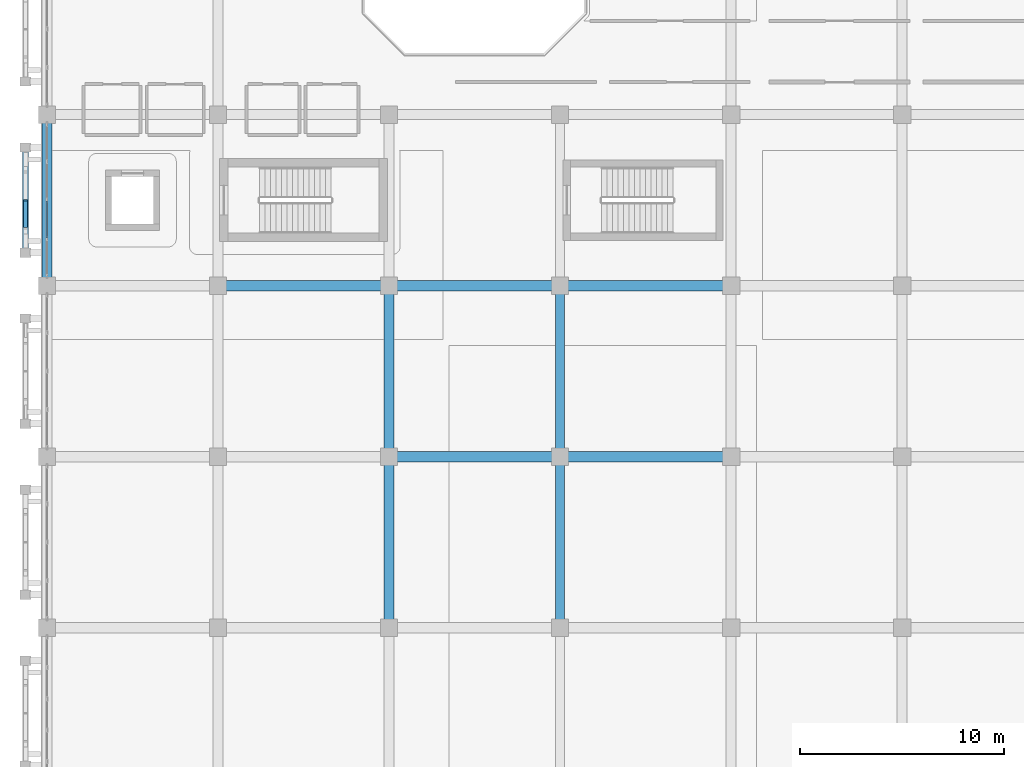
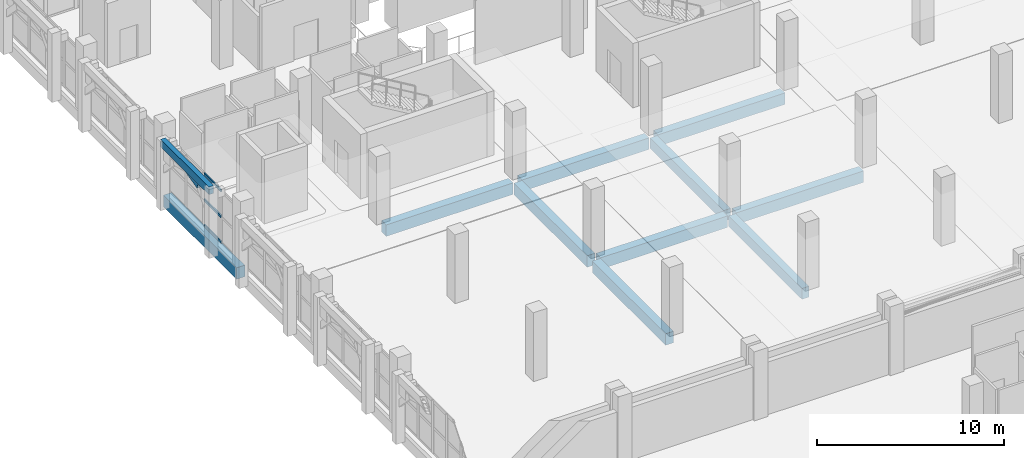
# One storey, part 49 of 137: 11 beams, 4 members, 1 element without a shape of its own.
"""IFC4 building model written with IfcOpenShell, lengths in metres."""

from ifc_helpers import new_model, si_unit, direction, frame, origin, origin_2d, place, context, subcontext, project, spatial, rectangle, hollow_rectangle, extrude, material, layer, layer_set, material_profile, profile_set, type_object, element, aggregate, save


model = new_model("IFC4")

# Units and contexts
model_context = context("Model", 3, precision=1e-05, world=origin(), true_north=direction((0.0, 1.0)))
body_context = subcontext(model_context, "Body", "Model", "MODEL_VIEW")
ifc_project = project(units=[si_unit("LENGTHUNIT", "METRE"), si_unit("AREAUNIT", "SQUARE_METRE"), si_unit("VOLUMEUNIT", "CUBIC_METRE"), si_unit("PLANEANGLEUNIT", "RADIAN"), si_unit("MASSUNIT", "GRAM", prefix="KILO")], contexts=[model_context])

# Site, building, storey
site_placement = place(None, origin())
site = spatial("IfcSite", under=ifc_project, at=site_placement, CompositionType="ELEMENT")
building_placement = place(site_placement, origin())
building = spatial("IfcBuilding", under=site, at=building_placement, Name="Xazarin Passage Department Store", CompositionType="ELEMENT")
storey_placement = place(building_placement, frame((0.0, 0.0, 5.39990234375)))
storey = spatial("IfcBuildingStorey", under=building, at=storey_placement, Name="L01", CompositionType="ELEMENT", Elevation=5.39990234375)

# Curtain wall, members
ifc_material_1 = material(Name="Bronze anodised aluminium", Category="aluminium")
ifc_layer = layer(ifc_material_1, 0.179931640625)
ifc_layer_set = layer_set([ifc_layer], Name="Bronze anodised aluminium")
curtain_wall_type = type_object("IfcCurtainWallType", Name="ARC-CW-VIT1", PredefinedType="NOTDEFINED", material=ifc_layer_set)
curtain_wall_placement = place(storey_placement, origin())
curtain_wall = element("IfcCurtainWall", 1, at=curtain_wall_placement, inside=storey, type_object=curtain_wall_type, Name="L01 V1 Curtain Wall 021", PredefinedType="NOTDEFINED")
ifc_material_profile_1 = material_profile(ifc_material_1, hollow_rectangle(XDim=0.074951171875, YDim=0.159912109375, WallThickness=0.00439453125, at=origin_2d()), Name="ALU 75x160")
ifc_profile_set_1 = profile_set([ifc_material_profile_1], Name="Bronze anodised aluminium")
member_type_1 = type_object("IfcMemberType", Name="ARC-CWT-75x160", PredefinedType="USERDEFINED", material=ifc_profile_set_1)
member_1_placement = place(storey_placement, frame((0.0, 78.75, 0.03759765625), z_axis=(0.0, 1.0, 0.0), x_axis=(-1.0, 0.0, 0.0)))
member_1 = element("IfcMember", 2, at=member_1_placement, type_object=member_type_1, Name="CW1 transom 2.1", ObjectType="TRANSOM", PredefinedType="USERDEFINED", context=body_context, shape_type="SweptSolid", body=[
    extrude(hollow_rectangle(XDim=0.074951171875, YDim=0.159912109375, WallThickness=0.00439453125, at=origin_2d()), origin(), (0.0, 0.0, 1.0), 1.8125),
])
member_2_placement = place(storey_placement, frame((0.0, 78.75, 1.72509765625), z_axis=(0.0, 1.0, 0.0), x_axis=(-1.0, 0.0, 0.0)))
member_2 = element("IfcMember", 3, at=member_2_placement, type_object=member_type_1, Name="CW1 transom 2.2", ObjectType="TRANSOM", PredefinedType="USERDEFINED", context=body_context, shape_type="SweptSolid", body=[
    extrude(hollow_rectangle(XDim=0.074951171875, YDim=0.159912109375, WallThickness=0.00439453125, at=origin_2d()), origin(), (0.0, 0.0, 1.0), 1.8125),
])
member_3_placement = place(storey_placement, frame((0.0, 78.75, 3.41259765625), z_axis=(0.0, 1.0, 0.0), x_axis=(-1.0, 0.0, 0.0)))
member_3 = element("IfcMember", 4, at=member_3_placement, type_object=member_type_1, Name="CW1 transom 2.3", ObjectType="TRANSOM", PredefinedType="USERDEFINED", context=body_context, shape_type="SweptSolid", body=[
    extrude(hollow_rectangle(XDim=0.074951171875, YDim=0.159912109375, WallThickness=0.00439453125, at=origin_2d()), origin(), (0.0, 0.0, 1.0), 1.8125),
])
aggregate(curtain_wall, [member_1, member_2, member_3])

# Beams
ifc_material_2 = material(Name="Concrete C35/45", Category="concrete")
ifc_material_profile_2 = material_profile(ifc_material_2, rectangle(XDim=0.449951171875, YDim=0.699951171875, at=origin_2d()), Name="RC 450x700")
ifc_profile_set_2 = profile_set([ifc_material_profile_2], Name="Concrete C35/45")
beam_type_1 = type_object("IfcBeamType", Name="STR-BM-G450x700", PredefinedType="BEAM", material=ifc_profile_set_2)
for number, where, z_axis, x_axis, name in (
    (5, (25.199951171875, 59.8798828125, -0.64990234375), (0.0, 1.0, 0.0), (-1.0, 0.0, 0.0), "L01 Grid Beam 4/J-K"),
    (6, (25.199951171875, 68.280029296875, -0.64990234375), (0.0, 1.0, 0.0), (-1.0, 0.0, 0.0), "L01 Grid Beam 4/K-L"),
):
    element("IfcBeam", number, at=place(storey_placement, frame(where, z_axis=z_axis, x_axis=x_axis)), inside=storey, type_object=beam_type_1, Name=name, PredefinedType="BEAM", context=body_context, shape_type="SweptSolid", body=[
        extrude(rectangle(XDim=0.449951171875, YDim=0.699951171875, at=origin_2d()), origin(), (0.0, 0.0, 1.0), 7.840087890625),
    ])
ifc_material_profile_3 = material_profile(ifc_material_2, rectangle(XDim=0.300048828125, YDim=0.5, at=origin_2d()), Name="RC 300x500")
ifc_profile_set_3 = profile_set([ifc_material_profile_3], Name="Concrete C35/45")
beam_type_2 = type_object("IfcBeamType", Name="STR-BM-LN300x500", PredefinedType="LINTEL", material=ifc_profile_set_3)
beam_1_placement = place(storey_placement, frame((-1.050048828125, 78.02001953125, 4.25), z_axis=(0.0, 1.0, 0.0), x_axis=(-1.0, 0.0, 0.0)))
element("IfcBeam", 7, at=beam_1_placement, inside=storey, type_object=beam_type_2, Name="L01 V1 Colonnade Spandrel Beam 011", PredefinedType="LINTEL", context=body_context, shape_type="SweptSolid", body=[
    extrude(rectangle(XDim=0.300048828125, YDim=0.5, at=origin_2d()), origin(), (0.0, 0.0, 1.0), 5.159912109375),
])
ifc_material_profile_4 = material_profile(ifc_material_2, rectangle(XDim=0.5, YDim=0.75, at=origin_2d()), Name="RC 500x750")
ifc_profile_set_4 = profile_set([ifc_material_profile_4], Name="Concrete C35/45")
beam_type_3 = type_object("IfcBeamType", Name="STR-BM-SP500x750", PredefinedType="SPANDREL", material=ifc_profile_set_4)
beam_2_placement = place(storey_placement, frame((17.080078125, 68.0, -0.6748046875), z_axis=(1.0, 0.0, 0.0), x_axis=(0.0, 1.0, 0.0)))
element("IfcBeam", 8, at=beam_2_placement, inside=storey, type_object=beam_type_3, Name="L01 Grid Beam K/3-4", PredefinedType="SPANDREL", context=body_context, shape_type="SweptSolid", body=[
    extrude(rectangle(XDim=0.5, YDim=0.75, at=origin_2d()), origin(), (0.0, 0.0, 1.0), 7.83984375),
])
for number, where, z_axis, x_axis, name in (
    (9, (25.47998046875, 68.0, -0.6748046875), (1.0, 0.0, 0.0), (0.0, 1.0, 0.0), "L01 Grid Beam K/4-5"),
    (10, (8.679931640625, 76.39990234375, -0.6748046875), (1.0, 0.0, 0.0), (0.0, 1.0, 0.0), "L01 Grid Beam L/2-3"),
):
    element("IfcBeam", number, at=place(storey_placement, frame(where, z_axis=z_axis, x_axis=x_axis)), inside=storey, type_object=beam_type_3, Name=name, PredefinedType="SPANDREL", context=body_context, shape_type="SweptSolid", body=[
        extrude(rectangle(XDim=0.5, YDim=0.75, at=origin_2d()), origin(), (0.0, 0.0, 1.0), 7.840087890625),
    ])
beam_3_placement = place(storey_placement, frame((17.080078125, 76.39990234375, -0.6748046875), z_axis=(1.0, 0.0, 0.0), x_axis=(0.0, 1.0, 0.0)))
element("IfcBeam", 11, at=beam_3_placement, inside=storey, type_object=beam_type_3, Name="L01 Grid Beam L/3-4", PredefinedType="SPANDREL", context=body_context, shape_type="SweptSolid", body=[
    extrude(rectangle(XDim=0.5, YDim=0.75, at=origin_2d()), origin(), (0.0, 0.0, 1.0), 7.83984375),
])
for number, where, z_axis, x_axis, name in (
    (12, (25.47998046875, 76.39990234375, -0.6748046875), (1.0, 0.0, 0.0), (0.0, 1.0, 0.0), "L01 Grid Beam L/4-5"),
    (13, (0.0, 76.679931640625, -0.6748046875), (0.0, 1.0, 0.0), (-1.0, 0.0, 0.0), "L01 Grid Beam 1/L-M"),
    (14, (16.800048828125, 59.8798828125, -0.6748046875), (0.0, 1.0, 0.0), (-1.0, 0.0, 0.0), "L01 Grid Beam 3/J-K"),
    (15, (16.800048828125, 68.280029296875, -0.6748046875), (0.0, 1.0, 0.0), (-1.0, 0.0, 0.0), "L01 Grid Beam 3/K-L"),
):
    element("IfcBeam", number, at=place(storey_placement, frame(where, z_axis=z_axis, x_axis=x_axis)), inside=storey, type_object=beam_type_3, Name=name, PredefinedType="SPANDREL", context=body_context, shape_type="SweptSolid", body=[
        extrude(rectangle(XDim=0.5, YDim=0.75, at=origin_2d()), origin(), (0.0, 0.0, 1.0), 7.840087890625),
    ])

# Member
ifc_material_3 = material(Name="Concrete C40/50", Category="concrete")
ifc_material_profile_5 = material_profile(ifc_material_3, rectangle(XDim=0.199951171875, YDim=0.360107421875, at=origin_2d()), Name="RC 200x360")
ifc_profile_set_5 = profile_set([ifc_material_profile_5], Name="Concrete C40/50")
member_type_2 = type_object("IfcMemberType", Name="STR-MEM-ARC360", PredefinedType="CHORD", material=ifc_profile_set_5)
member_4_placement = place(storey_placement, frame((-1.050048828125, 79.31005859375, 3.7705078125), z_axis=(0.0, 0.972393983317, 0.233345111818), x_axis=(-1.0, 0.0, 0.0)))
element("IfcMember", 16, at=member_4_placement, inside=storey, type_object=member_type_2, Name="L01 V1 Pierced Lattice Curved Arch 011.2", PredefinedType="CHORD", context=body_context, shape_type="SweptSolid", body=[
    extrude(rectangle(XDim=0.199951171875, YDim=0.360107421875, at=origin_2d()), origin(), (0.0, 0.0, 1.0), 1.32666015625),
])

save(model, "model.ifc")
